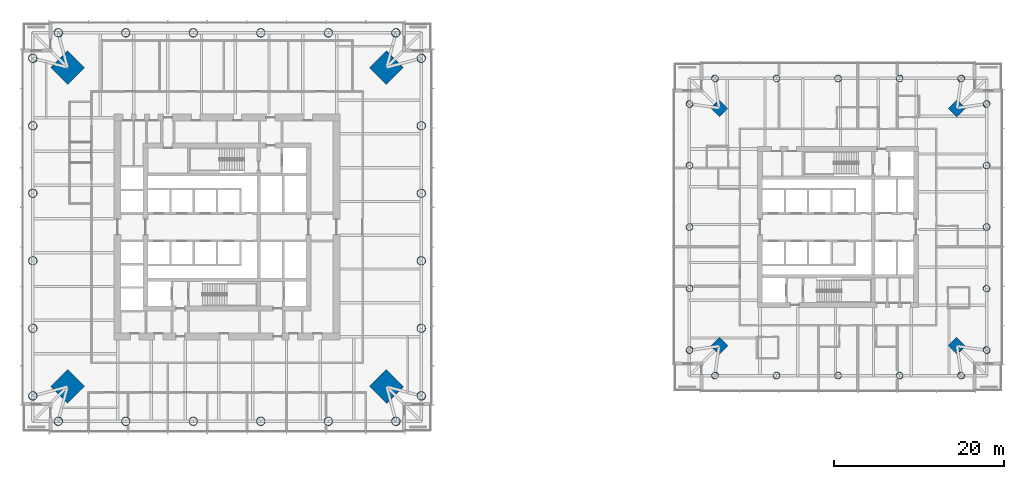
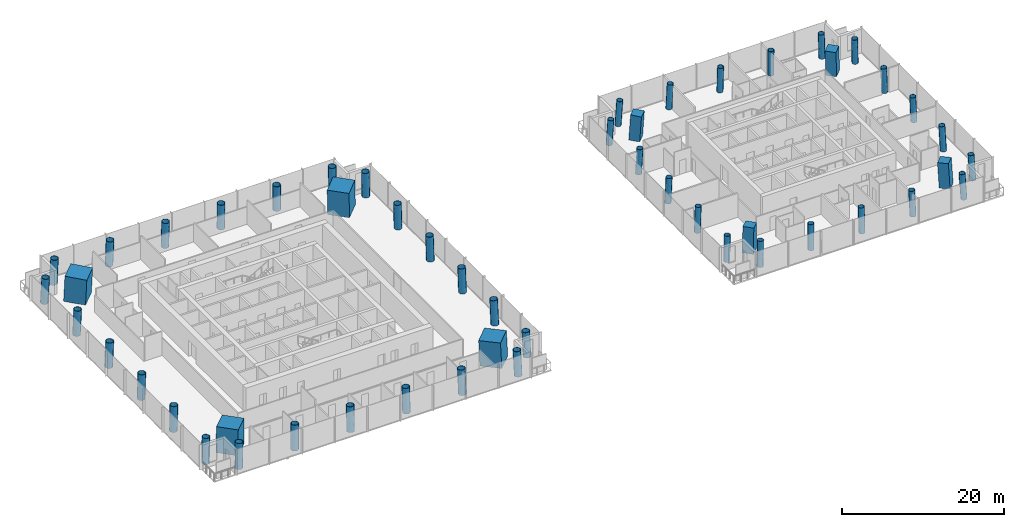
# One storey, part 1 of 18: 52 columns.
"""IFC4 building model written with IfcOpenShell, lengths in metres."""

import ifcopenshell
import ifcopenshell.guid

model = None  # the IFC model being written
_history = None  # IfcOwnerHistory: only IFC2X3 demands one
_inside = {}  # id of a spatial element -> (the spatial element, [elements in it])
_under = {}  # id of a project, library or spatial element -> (it, [spatial elements below it])
_declared = {}  # id of a project -> (the project, [libraries it declares])
_typed = {}  # id of a type object -> (the type object, [elements of that type])
_made_of = {}  # id of a material, layer set ... -> (it, [elements and type objects made of it])


def new_model(schema):
    """Start an empty IFC model of exactly this schema.

    Asked for "IFC4X3", IfcOpenShell would pick the latest addendum, in which some entities
    have other attributes; the version numbers below select the first issue.
    IFC2X3 requires an IfcOwnerHistory on every rooted entity: one is made here for all.
    """
    global model, _history
    if schema == "IFC4X3":
        model = ifcopenshell.file(schema_version=(4, 3, 0, 0))
    else:
        model = ifcopenshell.file(schema=schema)
    _inside.clear()
    _under.clear()
    _declared.clear()
    _typed.clear()
    _made_of.clear()
    _history = None
    if model.schema == "IFC2X3":
        org = make("IfcOrganization", Name="unknown")
        user = make(
            "IfcPersonAndOrganization",
            ThePerson=make("IfcPerson", FamilyName="unknown"),
            TheOrganization=org,
        )
        app = make(
            "IfcApplication",
            ApplicationDeveloper=org,
            Version="unknown",
            ApplicationFullName="unknown",
            ApplicationIdentifier="unknown",
        )
        _history = make(
            "IfcOwnerHistory",
            OwningUser=user,
            OwningApplication=app,
            ChangeAction="ADDED",
            CreationDate=0,
        )
    return model


def make(cls, **values):
    """One entity of the class cls with the attributes given. An attribute that is None is left unset."""
    return model.create_entity(
        cls, **{name: value for name, value in values.items() if value is not None}
    )


def rooted(cls, **values):
    """An entity with a GlobalId (a new one), such as an element, a storey or a relation."""
    return make(cls, GlobalId=ifcopenshell.guid.new(), OwnerHistory=_history, **values)


def si_unit(unit_type, name, prefix=None):
    """IfcSIUnit, for example si_unit("LENGTHUNIT", "METRE", prefix="MILLI")."""
    return make("IfcSIUnit", UnitType=unit_type, Prefix=prefix, Name=name)


def assignment(units):
    """IfcUnitAssignment: the units of a project."""
    return None if units is None else make("IfcUnitAssignment", Units=units)


def point(xyz):
    """IfcCartesianPoint."""
    return None if xyz is None else make("IfcCartesianPoint", Coordinates=xyz)


def direction(xyz):
    """IfcDirection."""
    return None if xyz is None else make("IfcDirection", DirectionRatios=xyz)


def frame(location, z_axis=None, x_axis=None):
    """IfcAxis2Placement3D, a coordinate frame: its origin and axes. An axis left out is left unset."""
    return make(
        "IfcAxis2Placement3D",
        Location=point(location),
        Axis=direction(z_axis),
        RefDirection=direction(x_axis),
    )


def frame_2d(location, x_axis=None):
    """IfcAxis2Placement2D, a coordinate frame in the plane: its origin and x axis."""
    return make(
        "IfcAxis2Placement2D", Location=point(location), RefDirection=direction(x_axis)
    )


def origin():
    """The frame at (0, 0, 0) with its axes left unset."""
    return frame((0.0, 0.0, 0.0))


def origin_2d():
    """The frame at (0, 0) in the plane with its x axis left unset."""
    return frame_2d((0.0, 0.0))


def place(relative_to, where):
    """IfcLocalPlacement: puts the frame where relative to a parent placement (None: the world)."""
    return make(
        "IfcLocalPlacement", PlacementRelTo=relative_to, RelativePlacement=where
    )


def context(
    kind, dimensions, precision=None, world=None, true_north=None, identifier=None
):
    """IfcGeometricRepresentationContext, for example the 3D "Model" context."""
    return make(
        "IfcGeometricRepresentationContext",
        ContextIdentifier=identifier,
        ContextType=kind,
        CoordinateSpaceDimension=dimensions,
        Precision=precision,
        WorldCoordinateSystem=world,
        TrueNorth=true_north,
    )


def subcontext(parent, identifier, kind, view, scale=None):
    """IfcGeometricRepresentationSubContext, for example "Body" below "Model"."""
    return make(
        "IfcGeometricRepresentationSubContext",
        ContextIdentifier=identifier,
        ContextType=kind,
        ParentContext=parent,
        TargetScale=scale,
        TargetView=view,
    )


def project(units=None, contexts=None):
    """IfcProject with its units and contexts."""
    return rooted(
        "IfcProject",
        Name="project",
        RepresentationContexts=contexts,
        UnitsInContext=assignment(units),
    )


def spatial(cls, under=None, at=None, **own):
    """A site, building, storey or space (cls), placed at a placement, below another one or the project."""
    s = rooted(cls, ObjectPlacement=at, **own)
    if under is not None:
        _under.setdefault(under.id(), (under, []))[1].append(s)
    return s


def profile(cls, at=None, kind="AREA", **sizes):
    """A parametric profile (cls). Its sizes go by their IFC names, for example OverallWidth=200.0."""
    return make(cls, ProfileType=kind, Position=at, **sizes)


def rectangle(**sizes):
    """IfcRectangleProfileDef."""
    return profile("IfcRectangleProfileDef", **sizes)


def hollow_circle(**sizes):
    """IfcCircleHollowProfileDef."""
    return profile("IfcCircleHollowProfileDef", **sizes)


def extrude(swept, where, along, depth):
    """IfcExtrudedAreaSolid: the profile swept, set in the frame where, extruded along a direction by depth."""
    return make(
        "IfcExtrudedAreaSolid",
        SweptArea=swept,
        Position=where,
        ExtrudedDirection=direction(along),
        Depth=depth,
    )


def shape(context_of_items, identifier, shape_type, items):
    """IfcShapeRepresentation: the items that make up one representation, for example the "Body"."""
    return make(
        "IfcShapeRepresentation",
        ContextOfItems=context_of_items,
        RepresentationIdentifier=identifier,
        RepresentationType=shape_type,
        Items=items,
    )


def material(Name=None, Category=None):
    """IfcMaterial."""
    return make("IfcMaterial", Name=Name, Category=Category)


def material_profile(
    of_material, cross_section, Name=None, Category=None, Priority=None
):
    """IfcMaterialProfile: a cross section and its material."""
    return make(
        "IfcMaterialProfile",
        Name=Name,
        Material=of_material,
        Profile=cross_section,
        Priority=Priority,
        Category=Category,
    )


def profile_set(profiles, Name=None, composite=None):
    """IfcMaterialProfileSet."""
    return make(
        "IfcMaterialProfileSet",
        Name=Name,
        MaterialProfiles=profiles,
        CompositeProfile=composite,
    )


def made_of(thing, what):
    """Note that an element or type object is made of a material, layer set ...; save() writes the relation."""
    if what is not None:
        _made_of.setdefault(what.id(), (what, []))[1].append(thing)
    return thing


def type_object(cls, material=None, **own):
    """A type object (cls), such as IfcWallType, which elements share."""
    return made_of(rooted(cls, **own), material)


def element(
    cls,
    number,
    at=None,
    inside=None,
    cuts=None,
    type_object=None,
    material=None,
    context=None,
    identifier="Body",
    shape_type=None,
    held_by="IfcProductDefinitionShape",
    body=None,
    shapes=None,
    **own,
):
    """One element of the class cls, such as IfcWall. Its Tag is "e" and its number.

    at: its placement. inside: the storey or other place that contains it. cuts: it is an
    opening in that element (IfcRelVoidsElement). A single representation is given by context,
    identifier, shape_type and body (its items); several are given by shapes. held_by: the class
    of the entity that holds the representations. save() writes the other relations.
    """
    e = rooted(cls, Tag="e%d" % number, ObjectPlacement=at, **own)
    if body is not None:
        shapes = [shape(context, identifier, shape_type, body)]
    if shapes is not None:
        e.Representation = make(held_by, Representations=shapes)
    if inside is not None:
        _inside.setdefault(inside.id(), (inside, []))[1].append(e)
    if cuts is not None:
        rooted(
            "IfcRelVoidsElement", RelatingBuildingElement=cuts, RelatedOpeningElement=e
        )
    if type_object is not None:
        _typed.setdefault(type_object.id(), (type_object, []))[1].append(e)
    return made_of(e, material)


def aggregate(whole, parts):
    """IfcRelAggregates: a whole, such as a stair, and the parts it consists of."""
    return rooted("IfcRelAggregates", RelatingObject=whole, RelatedObjects=parts)


def save(model, path):
    """Write the relations noted so far, then the file.

    IfcRelAggregates (storeys below a building ...), IfcRelContainedInSpatialStructure (elements
    in a storey), IfcRelDefinesByType, IfcRelAssociatesMaterial and IfcRelDeclares: one each for
    every whole, place, type object, material and project.
    """
    for whole, parts in _under.values():
        aggregate(whole, parts)
    for where, things in _inside.values():
        rooted(
            "IfcRelContainedInSpatialStructure",
            RelatedElements=things,
            RelatingStructure=where,
        )
    for kind, things in _typed.values():
        rooted("IfcRelDefinesByType", RelatedObjects=things, RelatingType=kind)
    for what, things in _made_of.values():
        rooted("IfcRelAssociatesMaterial", RelatedObjects=things, RelatingMaterial=what)
    for by, libraries in _declared.values():
        rooted("IfcRelDeclares", RelatingContext=by, RelatedDefinitions=libraries)
    model.write(path)


model = new_model("IFC4")

# Units and contexts
model_context = context("Model", 3, precision=1e-05, world=origin(), true_north=direction((0.0, 1.0)))
body_context = subcontext(model_context, "Body", "Model", "MODEL_VIEW")
ifc_project = project(units=[si_unit("LENGTHUNIT", "METRE"), si_unit("AREAUNIT", "SQUARE_METRE"), si_unit("VOLUMEUNIT", "CUBIC_METRE"), si_unit("PLANEANGLEUNIT", "RADIAN"), si_unit("MASSUNIT", "GRAM", prefix="KILO")], contexts=[model_context])

# Site, building, storey
site_placement = place(None, origin())
site = spatial("IfcSite", under=ifc_project, at=site_placement, CompositionType="ELEMENT")
building_placement = place(site_placement, origin())
building = spatial("IfcBuilding", under=site, at=building_placement, Name="Ostroluk Exchange", CompositionType="ELEMENT")
storey_placement = place(building_placement, frame((0.0, 0.0, 55.199951171875)))
storey = spatial("IfcBuildingStorey", under=building, at=storey_placement, Name="L13", CompositionType="ELEMENT", Elevation=55.199951171875)

# Columns
ifc_material_1 = material(Name="Concrete C50/60", Category="concrete")
ifc_material_profile_1 = material_profile(ifc_material_1, rectangle(XDim=1.39990234375, YDim=1.39990234375, at=origin_2d()), Name="RC 1400x1400")
ifc_profile_set_1 = profile_set([ifc_material_profile_1], Name="Concrete C50/60")
column_type_1 = type_object("IfcColumnType", Name="Mega column RC 1400x1400", PredefinedType="COLUMN", material=ifc_profile_set_1)
for number, where, z_axis, x_axis, name in (
    (1, (131.02587890625, 60.02587890625, 0.0), (-0.043029647111, -0.043029647111, 0.998146732169), (0.707106781187, -0.707106781187, 0.0), "T2 mega column NE"),
    (2, (102.97412109375, 60.02587890625, 0.0), (0.043029647111, -0.043029647111, 0.998146732169), (0.707106781187, 0.707106781187, 0.0), "T2 mega column NW"),
    (3, (102.97412109375, 31.97412109375, 0.0), (0.043029647111, 0.043029647111, 0.998146732169), (-0.707106781187, 0.707106781187, 0.0), "T2 mega column SW"),
    (4, (131.02587890625, 31.97412109375, 0.0), (-0.043029647111, 0.043029647111, 0.998146732169), (-0.707106781187, -0.707106781187, 0.0), "T2 mega column SE"),
):
    element("IfcColumn", number, at=place(storey_placement, frame(where, z_axis=z_axis, x_axis=x_axis)), inside=storey, type_object=column_type_1, Name=name, PredefinedType="COLUMN", context=body_context, shape_type="SweptSolid", body=[
        extrude(rectangle(XDim=1.39990234375, YDim=1.39990234375, at=origin_2d()), origin(), (0.0, 0.0, 1.0), 3.80712890625),
    ])
ifc_material_2 = material(Name="Concrete C50/60", Category="concrete")
ifc_material_profile_2 = material_profile(ifc_material_2, rectangle(XDim=2.800048828125, YDim=2.800048828125, at=origin_2d()), Name="RC 2800x2800")
ifc_profile_set_2 = profile_set([ifc_material_profile_2], Name="Concrete C50/60")
column_type_2 = type_object("IfcColumnType", Name="Mega column RC 2800x2800", PredefinedType="COLUMN", material=ifc_profile_set_2)
for number, where, z_axis, x_axis, name in (
    (5, (63.80712890625, 64.80712890625, 0.0), (-0.031898107953, -0.031898107953, 0.998981992539), (0.707106781187, -0.707106781187, 0.0), "T1 mega column NE"),
    (6, (26.19287109375, 64.80712890625, 0.0), (0.031898107953, -0.031898107953, 0.998981992539), (0.707106781187, 0.707106781187, 0.0), "T1 mega column NW"),
    (7, (26.19287109375, 27.19287109375, 0.0), (0.031898107953, 0.031898107953, 0.998981992539), (-0.707106781187, 0.707106781187, 0.0), "T1 mega column SW"),
    (8, (63.80712890625, 27.19287109375, 0.0), (-0.031898107953, 0.031898107953, 0.998981992539), (-0.707106781187, -0.707106781187, 0.0), "T1 mega column SE"),
):
    element("IfcColumn", number, at=place(storey_placement, frame(where, z_axis=z_axis, x_axis=x_axis)), inside=storey, type_object=column_type_2, Name=name, PredefinedType="COLUMN", context=body_context, shape_type="SweptSolid", body=[
        extrude(rectangle(XDim=2.800048828125, YDim=2.800048828125, at=origin_2d()), origin(), (0.0, 0.0, 1.0), 3.803955078125),
    ])
ifc_material_3 = material(Name="Steel S460", Category="steel")
ifc_material_profile_3 = material_profile(ifc_material_3, hollow_circle(Radius=0.508056640625, WallThickness=0.0400390625, at=origin_2d()), Name="CHS 1016x40")
ifc_profile_set_3 = profile_set([ifc_material_profile_3], Name="Steel S460")
column_type_3 = type_object("IfcColumnType", Name="Perimeter column CHS 1016x40", PredefinedType="COLUMN", material=ifc_profile_set_3)
for number, where, z_axis, x_axis, name in (
    (9, (67.9072265625, 26.0927734375, 0.0), (-0.031962158256, 0.031962158256, 0.998977898093), (-0.707106781187, -0.707106781187, 0.0), "T1 east face column E0"),
    (10, (67.9072265625, 65.9072265625, 0.0), (-0.031962158256, -0.031962158256, 0.998977898093), (0.707106781187, -0.707106781187, 0.0), "T1 east face column E1"),
):
    element("IfcColumn", number, at=place(storey_placement, frame(where, z_axis=z_axis, x_axis=x_axis)), inside=storey, type_object=column_type_3, Name=name, PredefinedType="COLUMN", context=body_context, shape_type="SweptSolid", body=[
        extrude(hollow_circle(Radius=0.508056640625, WallThickness=0.0400390625, at=origin_2d()), origin(), (0.0, 0.0, 1.0), 3.803955078125),
    ])
column_1_placement = place(storey_placement, frame((67.9072265625, 34.0556640625, 0.0), z_axis=(-0.031972604108, 0.019196402868, 0.999304383411), x_axis=(-0.514748904804, -0.857340985258, 0.0)))
element("IfcColumn", 11, at=column_1_placement, inside=storey, type_object=column_type_3, Name="T1 east face column I1", PredefinedType="COLUMN", context=body_context, shape_type="SweptSolid", body=[
    extrude(hollow_circle(Radius=0.508056640625, WallThickness=0.0400390625, at=origin_2d()), origin(), (0.0, 0.0, 1.0), 3.802734375),
])
for number, where, z_axis, x_axis, name in (
    (12, (67.9072265625, 42.0185546875, 0.0), (-0.031977837436, 0.006421252497, 0.999467951177), (-0.196873281596, -0.980428942348, 0.0), "T1 east face column I2"),
    (13, (67.9072265625, 49.9814453125, 0.0), (-0.031977837436, -0.006421252497, 0.999467951177), (0.196873281596, -0.980428942348, 0.0), "T1 east face column I3"),
):
    element("IfcColumn", number, at=place(storey_placement, frame(where, z_axis=z_axis, x_axis=x_axis)), inside=storey, type_object=column_type_3, Name=name, PredefinedType="COLUMN", context=body_context, shape_type="SweptSolid", body=[
        extrude(hollow_circle(Radius=0.508056640625, WallThickness=0.0400390625, at=origin_2d()), origin(), (0.0, 0.0, 1.0), 3.802001953125),
    ])
column_2_placement = place(storey_placement, frame((67.9072265625, 57.9443359375, 0.0), z_axis=(-0.031972604108, -0.019196402868, 0.999304383411), x_axis=(0.514748904804, -0.857340985258, 0.0)))
element("IfcColumn", 14, at=column_2_placement, inside=storey, type_object=column_type_3, Name="T1 east face column I4", PredefinedType="COLUMN", context=body_context, shape_type="SweptSolid", body=[
    extrude(hollow_circle(Radius=0.508056640625, WallThickness=0.0400390625, at=origin_2d()), origin(), (0.0, 0.0, 1.0), 3.802734375),
])
for number, where, z_axis, x_axis, name in (
    (15, (64.9072265625, 68.9072265625, 0.0), (-0.031962158256, -0.031962158256, 0.998977898093), (0.707106781187, -0.707106781187, 0.0), "T1 north face column E0"),
    (16, (25.0927734375, 68.9072265625, 0.0), (0.031962158256, -0.031962158256, 0.998977898093), (0.707106781187, 0.707106781187, 0.0), "T1 north face column E1"),
):
    element("IfcColumn", number, at=place(storey_placement, frame(where, z_axis=z_axis, x_axis=x_axis)), inside=storey, type_object=column_type_3, Name=name, PredefinedType="COLUMN", context=body_context, shape_type="SweptSolid", body=[
        extrude(hollow_circle(Radius=0.508056640625, WallThickness=0.0400390625, at=origin_2d()), origin(), (0.0, 0.0, 1.0), 3.803955078125),
    ])
column_3_placement = place(storey_placement, frame((56.9443359375, 68.9072265625, 0.0), z_axis=(-0.019196402868, -0.031972604108, 0.999304383411), x_axis=(0.857340985258, -0.514748904804, 0.0)))
element("IfcColumn", 17, at=column_3_placement, inside=storey, type_object=column_type_3, Name="T1 north face column I1", PredefinedType="COLUMN", context=body_context, shape_type="SweptSolid", body=[
    extrude(hollow_circle(Radius=0.508056640625, WallThickness=0.0400390625, at=origin_2d()), origin(), (0.0, 0.0, 1.0), 3.802734375),
])
for number, where, z_axis, x_axis, name in (
    (18, (48.9814453125, 68.9072265625, 0.0), (-0.006421252497, -0.031977837436, 0.999467951177), (0.980428942348, -0.196873281596, 0.0), "T1 north face column I2"),
    (19, (41.0185546875, 68.9072265625, 0.0), (0.006421252497, -0.031977837436, 0.999467951177), (0.980428942348, 0.196873281596, 0.0), "T1 north face column I3"),
):
    element("IfcColumn", number, at=place(storey_placement, frame(where, z_axis=z_axis, x_axis=x_axis)), inside=storey, type_object=column_type_3, Name=name, PredefinedType="COLUMN", context=body_context, shape_type="SweptSolid", body=[
        extrude(hollow_circle(Radius=0.508056640625, WallThickness=0.0400390625, at=origin_2d()), origin(), (0.0, 0.0, 1.0), 3.802001953125),
    ])
column_4_placement = place(storey_placement, frame((33.0556640625, 68.9072265625, 0.0), z_axis=(0.019196402868, -0.031972604108, 0.999304383411), x_axis=(0.857340985258, 0.514748904804, 0.0)))
element("IfcColumn", 20, at=column_4_placement, inside=storey, type_object=column_type_3, Name="T1 north face column I4", PredefinedType="COLUMN", context=body_context, shape_type="SweptSolid", body=[
    extrude(hollow_circle(Radius=0.508056640625, WallThickness=0.0400390625, at=origin_2d()), origin(), (0.0, 0.0, 1.0), 3.802734375),
])
for number, where, z_axis, x_axis, name in (
    (21, (22.0927734375, 65.9072265625, 0.0), (0.031962158256, -0.031962158256, 0.998977898093), (0.707106781187, 0.707106781187, 0.0), "T1 west face column E0"),
    (22, (22.0927734375, 26.0927734375, 0.0), (0.031962158256, 0.031962158256, 0.998977898093), (-0.707106781187, 0.707106781187, 0.0), "T1 west face column E1"),
):
    element("IfcColumn", number, at=place(storey_placement, frame(where, z_axis=z_axis, x_axis=x_axis)), inside=storey, type_object=column_type_3, Name=name, PredefinedType="COLUMN", context=body_context, shape_type="SweptSolid", body=[
        extrude(hollow_circle(Radius=0.508056640625, WallThickness=0.0400390625, at=origin_2d()), origin(), (0.0, 0.0, 1.0), 3.803955078125),
    ])
column_5_placement = place(storey_placement, frame((22.0927734375, 57.9443359375, 0.0), z_axis=(0.031972604108, -0.019196402868, 0.999304383411), x_axis=(0.514748904804, 0.857340985258, 0.0)))
element("IfcColumn", 23, at=column_5_placement, inside=storey, type_object=column_type_3, Name="T1 west face column I1", PredefinedType="COLUMN", context=body_context, shape_type="SweptSolid", body=[
    extrude(hollow_circle(Radius=0.508056640625, WallThickness=0.0400390625, at=origin_2d()), origin(), (0.0, 0.0, 1.0), 3.802734375),
])
for number, where, z_axis, x_axis, name in (
    (24, (22.0927734375, 49.9814453125, 0.0), (0.031977837436, -0.006421252497, 0.999467951177), (0.196873281596, 0.980428942348, 0.0), "T1 west face column I2"),
    (25, (22.0927734375, 42.0185546875, 0.0), (0.031977837436, 0.006421252497, 0.999467951177), (-0.196873281596, 0.980428942348, 0.0), "T1 west face column I3"),
):
    element("IfcColumn", number, at=place(storey_placement, frame(where, z_axis=z_axis, x_axis=x_axis)), inside=storey, type_object=column_type_3, Name=name, PredefinedType="COLUMN", context=body_context, shape_type="SweptSolid", body=[
        extrude(hollow_circle(Radius=0.508056640625, WallThickness=0.0400390625, at=origin_2d()), origin(), (0.0, 0.0, 1.0), 3.802001953125),
    ])
column_6_placement = place(storey_placement, frame((22.0927734375, 34.0556640625, 0.0), z_axis=(0.031972604108, 0.019196402868, 0.999304383411), x_axis=(-0.514748904804, 0.857340985258, 0.0)))
element("IfcColumn", 26, at=column_6_placement, inside=storey, type_object=column_type_3, Name="T1 west face column I4", PredefinedType="COLUMN", context=body_context, shape_type="SweptSolid", body=[
    extrude(hollow_circle(Radius=0.508056640625, WallThickness=0.0400390625, at=origin_2d()), origin(), (0.0, 0.0, 1.0), 3.802734375),
])
for number, where, z_axis, x_axis, name in (
    (27, (25.0927734375, 23.0927734375, 0.0), (0.031962158256, 0.031962158256, 0.998977898093), (-0.707106781187, 0.707106781187, 0.0), "T1 south face column E0"),
    (28, (64.9072265625, 23.0927734375, 0.0), (-0.031962158256, 0.031962158256, 0.998977898093), (-0.707106781187, -0.707106781187, 0.0), "T1 south face column E1"),
):
    element("IfcColumn", number, at=place(storey_placement, frame(where, z_axis=z_axis, x_axis=x_axis)), inside=storey, type_object=column_type_3, Name=name, PredefinedType="COLUMN", context=body_context, shape_type="SweptSolid", body=[
        extrude(hollow_circle(Radius=0.508056640625, WallThickness=0.0400390625, at=origin_2d()), origin(), (0.0, 0.0, 1.0), 3.803955078125),
    ])
column_7_placement = place(storey_placement, frame((33.0556640625, 23.0927734375, 0.0), z_axis=(0.019196402868, 0.031972604108, 0.999304383411), x_axis=(-0.857340985258, 0.514748904804, 0.0)))
element("IfcColumn", 29, at=column_7_placement, inside=storey, type_object=column_type_3, Name="T1 south face column I1", PredefinedType="COLUMN", context=body_context, shape_type="SweptSolid", body=[
    extrude(hollow_circle(Radius=0.508056640625, WallThickness=0.0400390625, at=origin_2d()), origin(), (0.0, 0.0, 1.0), 3.802734375),
])
for number, where, z_axis, x_axis, name in (
    (30, (41.0185546875, 23.0927734375, 0.0), (0.006421252497, 0.031977837436, 0.999467951177), (-0.980428942348, 0.196873281596, 0.0), "T1 south face column I2"),
    (31, (48.9814453125, 23.0927734375, 0.0), (-0.006421252497, 0.031977837436, 0.999467951177), (-0.980428942348, -0.196873281596, 0.0), "T1 south face column I3"),
):
    element("IfcColumn", number, at=place(storey_placement, frame(where, z_axis=z_axis, x_axis=x_axis)), inside=storey, type_object=column_type_3, Name=name, PredefinedType="COLUMN", context=body_context, shape_type="SweptSolid", body=[
        extrude(hollow_circle(Radius=0.508056640625, WallThickness=0.0400390625, at=origin_2d()), origin(), (0.0, 0.0, 1.0), 3.802001953125),
    ])
column_8_placement = place(storey_placement, frame((56.9443359375, 23.0927734375, 0.0), z_axis=(-0.019196402868, 0.031972604108, 0.999304383411), x_axis=(-0.857340985258, -0.514748904804, 0.0)))
element("IfcColumn", 32, at=column_8_placement, inside=storey, type_object=column_type_3, Name="T1 south face column I4", PredefinedType="COLUMN", context=body_context, shape_type="SweptSolid", body=[
    extrude(hollow_circle(Radius=0.508056640625, WallThickness=0.0400390625, at=origin_2d()), origin(), (0.0, 0.0, 1.0), 3.802734375),
])
ifc_material_4 = material(Name="Steel S460", Category="steel")
ifc_material_profile_4 = material_profile(ifc_material_4, hollow_circle(Radius=0.406494140625, WallThickness=0.030029296875, at=origin_2d()), Name="CHS 813x30")
ifc_profile_set_4 = profile_set([ifc_material_profile_4], Name="Steel S460")
column_type_4 = type_object("IfcColumnType", Name="Perimeter column CHS 813x30", PredefinedType="COLUMN", material=ifc_profile_set_4)
for number, where, z_axis, x_axis, name in (
    (33, (134.52587890625, 31.47412109375, 0.0), (-0.043029647111, 0.043029647111, 0.998146732169), (-0.707106781187, -0.707106781187, 0.0), "T2 east face column E0"),
    (34, (134.52587890625, 60.52587890625, 0.0), (-0.043029647111, -0.043029647111, 0.998146732169), (0.707106781187, -0.707106781187, 0.0), "T2 east face column E1"),
):
    element("IfcColumn", number, at=place(storey_placement, frame(where, z_axis=z_axis, x_axis=x_axis)), inside=storey, type_object=column_type_4, Name=name, PredefinedType="COLUMN", context=body_context, shape_type="SweptSolid", body=[
        extrude(hollow_circle(Radius=0.406494140625, WallThickness=0.030029296875, at=origin_2d()), origin(), (0.0, 0.0, 1.0), 3.80712890625),
    ])
column_9_placement = place(storey_placement, frame((134.52587890625, 38.737060546875, 0.0), z_axis=(-0.043059584825, 0.021497706284, 0.998841188968), x_axis=(-0.446680166538, -0.894693706707, 0.0)))
element("IfcColumn", 35, at=column_9_placement, inside=storey, type_object=column_type_4, Name="T2 east face column I1", PredefinedType="COLUMN", context=body_context, shape_type="SweptSolid", body=[
    extrude(hollow_circle(Radius=0.406494140625, WallThickness=0.030029296875, at=origin_2d()), origin(), (0.0, 0.0, 1.0), 3.804443359375),
])
column_10_placement = place(storey_placement, frame((134.52587890625, 46.0, 0.0), z_axis=(-0.043069538298, 0.0, 0.999072076915), x_axis=(0.0, -1.0, 0.0)))
element("IfcColumn", 36, at=column_10_placement, inside=storey, type_object=column_type_4, Name="T2 east face column I2", PredefinedType="COLUMN", context=body_context, shape_type="SweptSolid", body=[
    extrude(hollow_circle(Radius=0.406494140625, WallThickness=0.030029296875, at=origin_2d()), origin(), (0.0, 0.0, 1.0), 3.803466796875),
])
column_11_placement = place(storey_placement, frame((134.52587890625, 53.262939453125, 0.0), z_axis=(-0.043059584825, -0.021497706284, 0.998841188968), x_axis=(0.446680166538, -0.894693706707, 0.0)))
element("IfcColumn", 37, at=column_11_placement, inside=storey, type_object=column_type_4, Name="T2 east face column I3", PredefinedType="COLUMN", context=body_context, shape_type="SweptSolid", body=[
    extrude(hollow_circle(Radius=0.406494140625, WallThickness=0.030029296875, at=origin_2d()), origin(), (0.0, 0.0, 1.0), 3.804443359375),
])
for number, where, z_axis, x_axis, name in (
    (38, (131.52587890625, 63.52587890625, 0.0), (-0.043029647111, -0.043029647111, 0.998146732169), (0.707106781187, -0.707106781187, 0.0), "T2 north face column E0"),
    (39, (102.47412109375, 63.52587890625, 0.0), (0.043029647111, -0.043029647111, 0.998146732169), (0.707106781187, 0.707106781187, 0.0), "T2 north face column E1"),
):
    element("IfcColumn", number, at=place(storey_placement, frame(where, z_axis=z_axis, x_axis=x_axis)), inside=storey, type_object=column_type_4, Name=name, PredefinedType="COLUMN", context=body_context, shape_type="SweptSolid", body=[
        extrude(hollow_circle(Radius=0.406494140625, WallThickness=0.030029296875, at=origin_2d()), origin(), (0.0, 0.0, 1.0), 3.80712890625),
    ])
column_12_placement = place(storey_placement, frame((124.262939453125, 63.52587890625, 0.0), z_axis=(-0.021497706284, -0.043059584825, 0.998841188968), x_axis=(0.894693706707, -0.446680166538, 0.0)))
element("IfcColumn", 40, at=column_12_placement, inside=storey, type_object=column_type_4, Name="T2 north face column I1", PredefinedType="COLUMN", context=body_context, shape_type="SweptSolid", body=[
    extrude(hollow_circle(Radius=0.406494140625, WallThickness=0.030029296875, at=origin_2d()), origin(), (0.0, 0.0, 1.0), 3.804443359375),
])
column_13_placement = place(storey_placement, frame((117.0, 63.52587890625, 0.0), z_axis=(0.0, -0.043069538298, 0.999072076915), x_axis=(1.0, 0.0, 0.0)))
element("IfcColumn", 41, at=column_13_placement, inside=storey, type_object=column_type_4, Name="T2 north face column I2", PredefinedType="COLUMN", context=body_context, shape_type="SweptSolid", body=[
    extrude(hollow_circle(Radius=0.406494140625, WallThickness=0.030029296875, at=origin_2d()), origin(), (0.0, 0.0, 1.0), 3.803466796875),
])
column_14_placement = place(storey_placement, frame((109.737060546875, 63.52587890625, 0.0), z_axis=(0.021497706284, -0.043059584825, 0.998841188968), x_axis=(0.894693706707, 0.446680166538, 0.0)))
element("IfcColumn", 42, at=column_14_placement, inside=storey, type_object=column_type_4, Name="T2 north face column I3", PredefinedType="COLUMN", context=body_context, shape_type="SweptSolid", body=[
    extrude(hollow_circle(Radius=0.406494140625, WallThickness=0.030029296875, at=origin_2d()), origin(), (0.0, 0.0, 1.0), 3.804443359375),
])
for number, where, z_axis, x_axis, name in (
    (43, (99.47412109375, 60.52587890625, 0.0), (0.043029647111, -0.043029647111, 0.998146732169), (0.707106781187, 0.707106781187, 0.0), "T2 west face column E0"),
    (44, (99.47412109375, 31.47412109375, 0.0), (0.043029647111, 0.043029647111, 0.998146732169), (-0.707106781187, 0.707106781187, 0.0), "T2 west face column E1"),
):
    element("IfcColumn", number, at=place(storey_placement, frame(where, z_axis=z_axis, x_axis=x_axis)), inside=storey, type_object=column_type_4, Name=name, PredefinedType="COLUMN", context=body_context, shape_type="SweptSolid", body=[
        extrude(hollow_circle(Radius=0.406494140625, WallThickness=0.030029296875, at=origin_2d()), origin(), (0.0, 0.0, 1.0), 3.80712890625),
    ])
column_15_placement = place(storey_placement, frame((99.47412109375, 53.262939453125, 0.0), z_axis=(0.043059584825, -0.021497706284, 0.998841188968), x_axis=(0.446680166538, 0.894693706707, 0.0)))
element("IfcColumn", 45, at=column_15_placement, inside=storey, type_object=column_type_4, Name="T2 west face column I1", PredefinedType="COLUMN", context=body_context, shape_type="SweptSolid", body=[
    extrude(hollow_circle(Radius=0.406494140625, WallThickness=0.030029296875, at=origin_2d()), origin(), (0.0, 0.0, 1.0), 3.804443359375),
])
column_16_placement = place(storey_placement, frame((99.47412109375, 46.0, 0.0), z_axis=(0.043069538298, 0.0, 0.999072076915), x_axis=(0.0, 1.0, 0.0)))
element("IfcColumn", 46, at=column_16_placement, inside=storey, type_object=column_type_4, Name="T2 west face column I2", PredefinedType="COLUMN", context=body_context, shape_type="SweptSolid", body=[
    extrude(hollow_circle(Radius=0.406494140625, WallThickness=0.030029296875, at=origin_2d()), origin(), (0.0, 0.0, 1.0), 3.803466796875),
])
column_17_placement = place(storey_placement, frame((99.47412109375, 38.737060546875, 0.0), z_axis=(0.043059584825, 0.021497706284, 0.998841188968), x_axis=(-0.446680166538, 0.894693706707, 0.0)))
element("IfcColumn", 47, at=column_17_placement, inside=storey, type_object=column_type_4, Name="T2 west face column I3", PredefinedType="COLUMN", context=body_context, shape_type="SweptSolid", body=[
    extrude(hollow_circle(Radius=0.406494140625, WallThickness=0.030029296875, at=origin_2d()), origin(), (0.0, 0.0, 1.0), 3.804443359375),
])
for number, where, z_axis, x_axis, name in (
    (48, (102.47412109375, 28.47412109375, 0.0), (0.043029647111, 0.043029647111, 0.998146732169), (-0.707106781187, 0.707106781187, 0.0), "T2 south face column E0"),
    (49, (131.52587890625, 28.47412109375, 0.0), (-0.043029647111, 0.043029647111, 0.998146732169), (-0.707106781187, -0.707106781187, 0.0), "T2 south face column E1"),
):
    element("IfcColumn", number, at=place(storey_placement, frame(where, z_axis=z_axis, x_axis=x_axis)), inside=storey, type_object=column_type_4, Name=name, PredefinedType="COLUMN", context=body_context, shape_type="SweptSolid", body=[
        extrude(hollow_circle(Radius=0.406494140625, WallThickness=0.030029296875, at=origin_2d()), origin(), (0.0, 0.0, 1.0), 3.80712890625),
    ])
column_18_placement = place(storey_placement, frame((109.737060546875, 28.47412109375, 0.0), z_axis=(0.021497706284, 0.043059584825, 0.998841188968), x_axis=(-0.894693706707, 0.446680166538, 0.0)))
element("IfcColumn", 50, at=column_18_placement, inside=storey, type_object=column_type_4, Name="T2 south face column I1", PredefinedType="COLUMN", context=body_context, shape_type="SweptSolid", body=[
    extrude(hollow_circle(Radius=0.406494140625, WallThickness=0.030029296875, at=origin_2d()), origin(), (0.0, 0.0, 1.0), 3.804443359375),
])
column_19_placement = place(storey_placement, frame((117.0, 28.47412109375, 0.0), z_axis=(0.0, 0.043069538298, 0.999072076915), x_axis=(-1.0, 0.0, 0.0)))
element("IfcColumn", 51, at=column_19_placement, inside=storey, type_object=column_type_4, Name="T2 south face column I2", PredefinedType="COLUMN", context=body_context, shape_type="SweptSolid", body=[
    extrude(hollow_circle(Radius=0.406494140625, WallThickness=0.030029296875, at=origin_2d()), origin(), (0.0, 0.0, 1.0), 3.803466796875),
])
column_20_placement = place(storey_placement, frame((124.262939453125, 28.47412109375, 0.0), z_axis=(-0.021497706284, 0.043059584825, 0.998841188968), x_axis=(-0.894693706707, -0.446680166538, 0.0)))
element("IfcColumn", 52, at=column_20_placement, inside=storey, type_object=column_type_4, Name="T2 south face column I3", PredefinedType="COLUMN", context=body_context, shape_type="SweptSolid", body=[
    extrude(hollow_circle(Radius=0.406494140625, WallThickness=0.030029296875, at=origin_2d()), origin(), (0.0, 0.0, 1.0), 3.804443359375),
])

save(model, "model.ifc")
